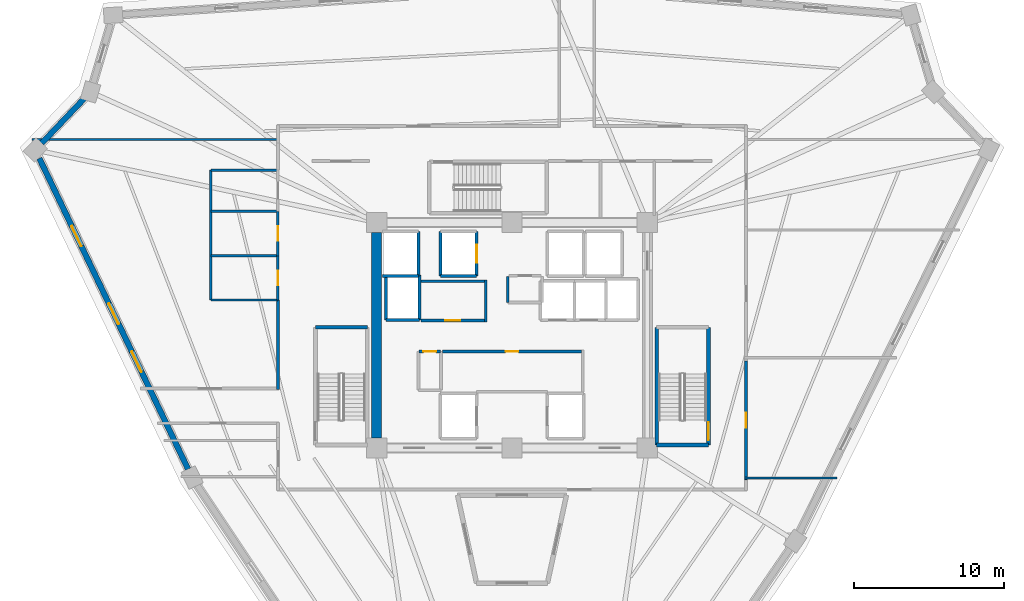
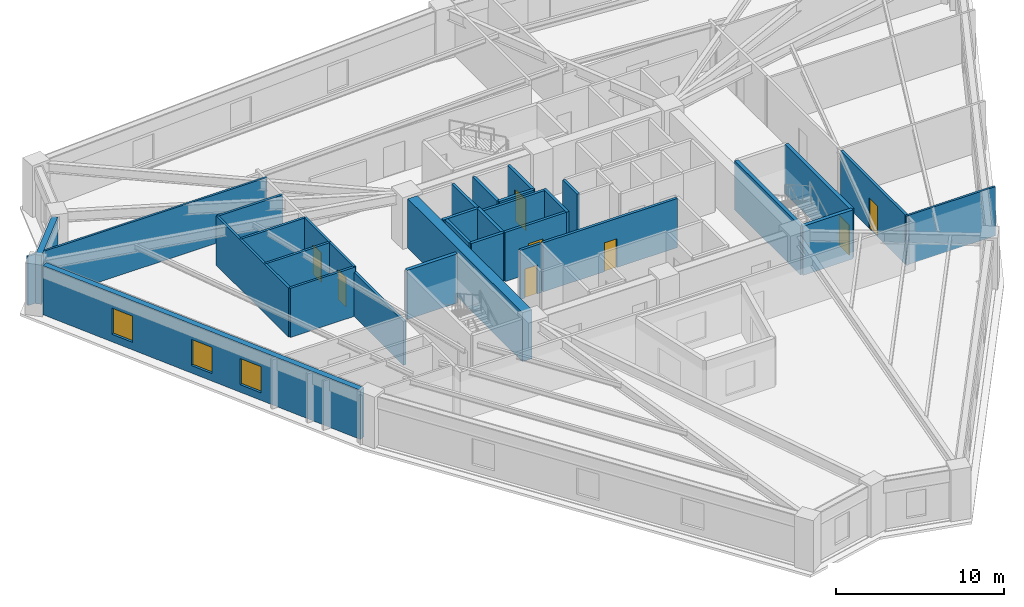
# One storey, part 4 of 9: 32 walls, 8 doors, 3 windows, 11 openings.
"""IFC4 building model written with IfcOpenShell, lengths in metres."""

from ifc_helpers import new_model, si_unit, direction, frame, frame_2d, origin, place, context, subcontext, project, spatial, rectangle, extrude, source, transform, mapped, material, layer, layer_set, type_object, element, fill, save


model = new_model("IFC4")

# Units and contexts
model_context = context("Model", 3, precision=1e-05, world=origin(), true_north=direction((0.0, 1.0)))
body_context = subcontext(model_context, "Body", "Model", "MODEL_VIEW")
ifc_project = project(units=[si_unit("LENGTHUNIT", "METRE"), si_unit("AREAUNIT", "SQUARE_METRE"), si_unit("VOLUMEUNIT", "CUBIC_METRE"), si_unit("PLANEANGLEUNIT", "RADIAN"), si_unit("MASSUNIT", "GRAM", prefix="KILO")], contexts=[model_context])

# Site, building, storey
site_placement = place(None, origin())
site = spatial("IfcSite", under=ifc_project, at=site_placement, CompositionType="ELEMENT")
building_placement = place(site_placement, origin())
building = spatial("IfcBuilding", under=site, at=building_placement, Name="Liaohun Quay Tower", CompositionType="ELEMENT")
storey_placement = place(building_placement, frame((0.0, 0.0, 258.75)))
storey = spatial("IfcBuildingStorey", under=building, at=storey_placement, Name="L67", CompositionType="ELEMENT", Elevation=258.75)

# Walls
ifc_material_1 = material(Name="Concrete C55", Category="concrete")
ifc_layer_1 = layer(ifc_material_1, 0.64990234375, Name="Concrete C55", Category="concrete")
ifc_layer_set_1 = layer_set([ifc_layer_1], Name="Concrete C55")
wall_type_1 = type_object("IfcWallType", Name="WAL-COR-Z3", PredefinedType="SHEAR", material=ifc_layer_set_1)
wall_1_placement = place(storey_placement, frame((51.0, 47.175048828125, 0.0), z_axis=(0.0, 0.0, 1.0), x_axis=(0.0, 1.0, 0.0)))
element("IfcWall", 1, at=wall_1_placement, inside=storey, type_object=wall_type_1, Name="L67 Central Core Shear Wall W", PredefinedType="SHEAR", context=body_context, shape_type="SweptSolid", body=[
    extrude(rectangle(XDim=13.64990234375, YDim=0.64990234375, at=frame_2d((6.824951171875, 0.0))), origin(), (0.0, 0.0, 1.0), 3.570068359375),
])
ifc_material_2 = material(Name="Precast concrete C50 insulated sandwich", Category="concrete")
ifc_layer_2 = layer(ifc_material_2, 0.3798828125, Name="Precast concrete C50 insulated sandwich", Category="concrete")
ifc_layer_set_2 = layer_set([ifc_layer_2], Name="Precast concrete C50 insulated sandwich")
wall_type_2 = type_object("IfcWallType", Name="WAL-EXT-Z34", PredefinedType="SOLIDWALL", material=ifc_layer_set_2)
wall_2_placement = place(storey_placement, frame((31.55908203125, 69.72998046875, 0.0), z_axis=(0.0, 0.0, 1.0), x_axis=(-0.689302304971, -0.724473831385, 0.0)))
element("IfcWall", 2, at=wall_2_placement, inside=storey, type_object=wall_type_2, Name="L67 Brutalist Precast Pier Wall 09", PredefinedType="SOLIDWALL", context=body_context, shape_type="SweptSolid", body=[
    extrude(rectangle(XDim=4.095458984375, YDim=0.3798828125, at=frame_2d((2.0478515625, 0.0))), origin(), (0.0, 0.0, 1.0), 3.570068359375),
])

# Wall, openings, windows
wall_3_placement = place(storey_placement, frame((28.576904296875, 65.761962890625, 0.0), z_axis=(0.0, 0.0, 1.0), x_axis=(0.431702044432, -0.902016266391, 0.0)))
wall_3 = element("IfcWall", 3, at=wall_3_placement, inside=storey, type_object=wall_type_2, Name="L67 Brutalist Precast Pier Wall 10", PredefinedType="SOLIDWALL", context=body_context, shape_type="SweptSolid", body=[
    extrude(rectangle(XDim=22.9140625, YDim=0.3798828125, at=frame_2d((11.45703125, 0.0))), origin(), (0.0, 0.0, 1.0), 3.570068359375),
])
shared_shape_1 = source(origin(), body_context, "Body", "SweptSolid", [
    extrude(rectangle(XDim=1.5, YDim=1.89990234375, at=frame_2d((0.75, 0.949951171875))), frame((0.0, 0.199951171875, 0.0), z_axis=(0.0, -1.0, 0.0), x_axis=(1.0, 0.0, 0.0)), (0.0, 0.0, 1.0), 0.39990234375),
])
opening_1_placement = place(wall_3_placement, frame((4.97900390625, 0.0, 0.550048828125)))
opening_1 = element("IfcOpeningElement", 4, at=opening_1_placement, cuts=wall_3, Name="Opening W03", PredefinedType="OPENING", context=body_context, shape_type="MappedRepresentation", body=[
    mapped(shared_shape_1, transform((0.0, 0.0, 0.0), x_axis=(1.0, 0.0, 0.0), y_axis=(0.0, 1.0, 0.0), z_axis=(0.0, 0.0, 1.0), scale=1.0)),
])
opening_2_placement = place(wall_3_placement, frame((10.70703125, 0.0, 0.550048828125)))
opening_2 = element("IfcOpeningElement", 5, at=opening_2_placement, cuts=wall_3, Name="Opening W03", PredefinedType="OPENING", context=body_context, shape_type="MappedRepresentation", body=[
    mapped(shared_shape_1, transform((0.0, 0.0, 0.0), x_axis=(1.0, 0.0, 0.0), y_axis=(0.0, 1.0, 0.0), z_axis=(0.0, 0.0, 1.0), scale=1.0)),
])
opening_3_placement = place(wall_3_placement, frame((14.236083984375, 0.0, 0.550048828125)))
opening_3 = element("IfcOpeningElement", 6, at=opening_3_placement, cuts=wall_3, Name="Opening W03", PredefinedType="OPENING", context=body_context, shape_type="MappedRepresentation", body=[
    mapped(shared_shape_1, transform((0.0, 0.0, 0.0), x_axis=(1.0, 0.0, 0.0), y_axis=(0.0, 1.0, 0.0), z_axis=(0.0, 0.0, 1.0), scale=1.0)),
])
ifc_material_3 = material(Name="Triple Low-E argon glazing in thermally broken aluminium", Category="aluminium")
window_type = type_object("IfcWindowType", Name="WIN-PUN-Z3", PartitioningType="DOUBLE_PANEL_VERTICAL", PredefinedType="WINDOW", material=ifc_material_3)
shared_shape_2 = source(origin(), body_context, "Body", "SweptSolid", [
    extrude(rectangle(XDim=1.5, YDim=1.89990234375, at=frame_2d((0.75, 0.949951171875))), frame((0.0, 0.030029296875, 0.0), z_axis=(0.0, -1.0, 0.0), x_axis=(1.0, 0.0, 0.0)), (0.0, 0.0, 1.0), 0.06005859375),
])
window_1_placement = place(opening_1_placement, origin())
window_1 = element("IfcWindow", 7, at=window_1_placement, inside=storey, type_object=window_type, Name="L67 Recessed Cold-Climate Punched Window 10-1", OverallHeight=1.89990234375, OverallWidth=1.5, PartitioningType="DOUBLE_PANEL_VERTICAL", PredefinedType="WINDOW", context=body_context, shape_type="MappedRepresentation", body=[
    mapped(shared_shape_2, transform((0.0, 0.0, 0.0), x_axis=(1.0, 0.0, 0.0), y_axis=(0.0, 1.0, 0.0), z_axis=(0.0, 0.0, 1.0), scale=1.0)),
])
fill(opening_1, window_1)
window_2_placement = place(opening_2_placement, origin())
window_2 = element("IfcWindow", 8, at=window_2_placement, inside=storey, type_object=window_type, Name="L67 Recessed Cold-Climate Punched Window 10-2", OverallHeight=1.89990234375, OverallWidth=1.5, PartitioningType="DOUBLE_PANEL_VERTICAL", PredefinedType="WINDOW", context=body_context, shape_type="MappedRepresentation", body=[
    mapped(shared_shape_2, transform((0.0, 0.0, 0.0), x_axis=(1.0, 0.0, 0.0), y_axis=(0.0, 1.0, 0.0), z_axis=(0.0, 0.0, 1.0), scale=1.0)),
])
fill(opening_2, window_2)
window_3_placement = place(opening_3_placement, origin())
window_3 = element("IfcWindow", 9, at=window_3_placement, inside=storey, type_object=window_type, Name="L67 Recessed Cold-Climate Punched Window 10-3", OverallHeight=1.89990234375, OverallWidth=1.5, PartitioningType="DOUBLE_PANEL_VERTICAL", PredefinedType="WINDOW", context=body_context, shape_type="MappedRepresentation", body=[
    mapped(shared_shape_2, transform((0.0, 0.0, 0.0), x_axis=(1.0, 0.0, 0.0), y_axis=(0.0, 1.0, 0.0), z_axis=(0.0, 0.0, 1.0), scale=1.0)),
])
fill(opening_3, window_3)

# Wall, opening, door
ifc_material_4 = material(Name="Autoclaved aerated concrete blockwork", Category="masonry")
ifc_layer_3 = layer(ifc_material_4, 0.179931640625, Name="Autoclaved aerated concrete blockwork", Category="masonry")
ifc_layer_set_3 = layer_set([ifc_layer_3], Name="Autoclaved aerated concrete blockwork")
wall_type_3 = type_object("IfcWallType", Name="WAL-PRT-COR", PredefinedType="PARTITIONING", material=ifc_layer_set_3)
wall_4_placement = place(storey_placement, frame((55.3701171875, 52.919921875, 0.0), z_axis=(0.0, 0.0, 1.0), x_axis=(1.0, 0.0, 0.0)))
wall_4 = element("IfcWall", 10, at=wall_4_placement, inside=storey, type_object=wall_type_3, Name="L67 Interior Partition Wall 001", PredefinedType="PARTITIONING", context=body_context, shape_type="SweptSolid", body=[
    extrude(rectangle(XDim=9.239990234375, YDim=0.179931640625, at=frame_2d((4.6201171875, 0.0))), origin(), (0.0, 0.0, 1.0), 3.570068359375),
])
shared_shape_3 = source(origin(), body_context, "Body", "SweptSolid", [
    extrude(rectangle(XDim=0.85009765625, YDim=2.10009765625, at=frame_2d((0.425048828125, 1.050048828125))), frame((0.0, 0.099853515625, 0.0), z_axis=(0.0, -1.0, 0.0), x_axis=(1.0, 0.0, 0.0)), (0.0, 0.0, 1.0), 0.199951171875),
])
opening_4_placement = place(wall_4_placement, frame((4.205078125, 0.0, 0.0)))
opening_4 = element("IfcOpeningElement", 11, at=opening_4_placement, cuts=wall_4, Name="Opening AD1", PredefinedType="OPENING", context=body_context, shape_type="MappedRepresentation", body=[
    mapped(shared_shape_3, transform((0.0, 0.0, 0.0), x_axis=(1.0, 0.0, 0.0), y_axis=(0.0, 1.0, 0.0), z_axis=(0.0, 0.0, 1.0), scale=1.0)),
])
ifc_material_5 = material(Name="Steel riser inspection fire door", Category="steel")
door_type_1 = type_object("IfcDoorType", Name="DOR-SHF-850", OperationType="NOTDEFINED", PredefinedType="DOOR", material=ifc_material_5)
shared_shape_4 = source(origin(), body_context, "Body", "SweptSolid", [
    extrude(rectangle(XDim=0.85009765625, YDim=2.10009765625, at=frame_2d((0.425048828125, 1.050048828125))), frame((0.0, 0.02490234375, 0.0), z_axis=(0.0, -1.0, 0.0), x_axis=(1.0, 0.0, 0.0)), (0.0, 0.0, 1.0), 0.050048828125),
])
door_1_placement = place(opening_4_placement, origin())
door_1 = element("IfcDoor", 12, at=door_1_placement, inside=storey, type_object=door_type_1, Name="L67 Core Tenant Storage and Archive Room Door", OperationType="SINGLE_SWING_LEFT", OverallHeight=2.10009765625, OverallWidth=0.85009765625, PredefinedType="DOOR", context=body_context, shape_type="MappedRepresentation", body=[
    mapped(shared_shape_4, transform((0.0, 0.0, 0.0), x_axis=(1.0, 0.0, 0.0), y_axis=(0.0, 1.0, 0.0), z_axis=(0.0, 0.0, 1.0), scale=1.0)),
])
fill(opening_4, door_1)

wall_5_placement = place(storey_placement, frame((53.949951171875, 54.97998046875, 0.0), z_axis=(0.0, 0.0, 1.0), x_axis=(1.0, 0.0, 0.0)))
wall_5 = element("IfcWall", 13, at=wall_5_placement, inside=storey, type_object=wall_type_3, Name="L67 Interior Partition Wall 002", PredefinedType="PARTITIONING", context=body_context, shape_type="SweptSolid", body=[
    extrude(rectangle(XDim=4.2099609375, YDim=0.179931640625, at=frame_2d((2.10498046875, 0.0))), origin(), (0.0, 0.0, 1.0), 3.570068359375),
])
shared_shape_5 = source(origin(), body_context, "Body", "SweptSolid", [
    extrude(rectangle(XDim=1.0, YDim=2.199951171875, at=frame_2d((0.5, 1.10009765625))), frame((0.0, 0.099853515625, 0.0), z_axis=(0.0, -1.0, 0.0), x_axis=(1.0, 0.0, 0.0)), (0.0, 0.0, 1.0), 0.199951171875),
])
opening_5_placement = place(wall_5_placement, frame((1.60009765625, 0.0, 0.0)))
opening_5 = element("IfcOpeningElement", 14, at=opening_5_placement, cuts=wall_5, Name="Opening OD1", PredefinedType="OPENING", context=body_context, shape_type="MappedRepresentation", body=[
    mapped(shared_shape_5, transform((0.0, 0.0, 0.0), x_axis=(1.0, 0.0, 0.0), y_axis=(0.0, 1.0, 0.0), z_axis=(0.0, 0.0, 1.0), scale=1.0)),
])
ifc_material_6 = material(Name="Solid-core oak veneer timber leaf in steel frame", Category="steel")
door_type_2 = type_object("IfcDoorType", Name="DOR-OFF-1000", OperationType="NOTDEFINED", PredefinedType="DOOR", material=ifc_material_6)
shared_shape_6 = source(origin(), body_context, "Body", "SweptSolid", [
    extrude(rectangle(XDim=1.0, YDim=2.199951171875, at=frame_2d((0.5, 1.10009765625))), frame((0.0, 0.02490234375, 0.0), z_axis=(0.0, -1.0, 0.0), x_axis=(1.0, 0.0, 0.0)), (0.0, 0.0, 1.0), 0.050048828125),
])
door_2_placement = place(opening_5_placement, origin())
door_2 = element("IfcDoor", 15, at=door_2_placement, inside=storey, type_object=door_type_2, Name="L67 Core Staff Pantry and Tea Room Door", OperationType="SINGLE_SWING_RIGHT", OverallHeight=2.199951171875, OverallWidth=1.0, PredefinedType="DOOR", context=body_context, shape_type="MappedRepresentation", body=[
    mapped(shared_shape_6, transform((0.0, 0.0, 0.0), x_axis=(1.0, 0.0, 0.0), y_axis=(0.0, 1.0, 0.0), z_axis=(0.0, 0.0, 1.0), scale=1.0)),
])
fill(opening_5, door_2)

wall_6_placement = place(storey_placement, frame((53.820068359375, 52.919921875, 0.0), z_axis=(0.0, 0.0, 1.0), x_axis=(1.0, 0.0, 0.0)))
wall_6 = element("IfcWall", 16, at=wall_6_placement, inside=storey, type_object=wall_type_3, Name="L67 Interior Partition Wall 004", PredefinedType="PARTITIONING", context=body_context, shape_type="SweptSolid", body=[
    extrude(rectangle(XDim=1.429931640625, YDim=0.179931640625, at=frame_2d((0.71484375, 0.0))), origin(), (0.0, 0.0, 1.0), 3.570068359375),
])
opening_6_placement = place(wall_6_placement, frame((0.2900390625, 0.0, 0.0)))
opening_6 = element("IfcOpeningElement", 17, at=opening_6_placement, cuts=wall_6, Name="Opening AD1", PredefinedType="OPENING", context=body_context, shape_type="MappedRepresentation", body=[
    mapped(shared_shape_3, transform((0.0, 0.0, 0.0), x_axis=(1.0, 0.0, 0.0), y_axis=(0.0, 1.0, 0.0), z_axis=(0.0, 0.0, 1.0), scale=1.0)),
])
door_3_placement = place(opening_6_placement, origin())
door_3 = element("IfcDoor", 18, at=door_3_placement, inside=storey, type_object=door_type_1, Name="L67 Mechanical Smoke Duct Room Door", OperationType="SINGLE_SWING_RIGHT", OverallHeight=2.10009765625, OverallWidth=0.85009765625, PredefinedType="DOOR", context=body_context, shape_type="MappedRepresentation", body=[
    mapped(shared_shape_4, transform((0.0, 0.0, 0.0), x_axis=(1.0, 0.0, 0.0), y_axis=(0.0, 1.0, 0.0), z_axis=(0.0, 0.0, 1.0), scale=1.0)),
])
fill(opening_6, door_3)

wall_7_placement = place(storey_placement, frame((75.56005859375, 52.284912109375, 0.0), z_axis=(0.0, 0.0, 1.0), x_axis=(0.0, -1.0, 0.0)))
wall_7 = element("IfcWall", 19, at=wall_7_placement, inside=storey, type_object=wall_type_3, Name="L67 Interior Partition Wall 020", PredefinedType="PARTITIONING", context=body_context, shape_type="SweptSolid", body=[
    extrude(rectangle(XDim=7.89990234375, YDim=0.179931640625, at=frame_2d((3.949951171875, 0.0))), origin(), (0.0, 0.0, 1.0), 3.570068359375),
])
opening_7_placement = place(wall_7_placement, frame((3.449951171875, 0.0, 0.0)))
opening_7 = element("IfcOpeningElement", 20, at=opening_7_placement, cuts=wall_7, Name="Opening OD1", PredefinedType="OPENING", context=body_context, shape_type="MappedRepresentation", body=[
    mapped(shared_shape_5, transform((0.0, 0.0, 0.0), x_axis=(1.0, 0.0, 0.0), y_axis=(0.0, 1.0, 0.0), z_axis=(0.0, 0.0, 1.0), scale=1.0)),
])
door_4_placement = place(opening_7_placement, origin())
door_4 = element("IfcDoor", 21, at=door_4_placement, inside=storey, type_object=door_type_2, Name="L67 Records Archive Store 09 Door", OperationType="SINGLE_SWING_RIGHT", OverallHeight=2.199951171875, OverallWidth=1.0, PredefinedType="DOOR", context=body_context, shape_type="MappedRepresentation", body=[
    mapped(shared_shape_6, transform((0.0, 0.0, 0.0), x_axis=(1.0, 0.0, 0.0), y_axis=(0.0, 1.0, 0.0), z_axis=(0.0, 0.0, 1.0), scale=1.0)),
])
fill(opening_7, door_4)

# Walls
wall_8_placement = place(storey_placement, frame((59.719970703125, 56.179931640625, 0.0), z_axis=(0.0, 0.0, 1.0), x_axis=(0.0, 1.0, 0.0)))
element("IfcWall", 22, at=wall_8_placement, inside=storey, type_object=wall_type_3, Name="L67 Interior Partition Wall 021", PredefinedType="PARTITIONING", context=body_context, shape_type="SweptSolid", body=[
    extrude(rectangle(XDim=1.739990234375, YDim=0.179931640625, at=frame_2d((0.8701171875, 0.0))), origin(), (0.0, 0.0, 1.0), 3.570068359375),
])
wall_9_placement = place(storey_placement, frame((44.43994140625, 50.389892578125, 0.0), z_axis=(0.0, 0.0, 1.0), x_axis=(0.0, 1.0, 0.0)))
element("IfcWall", 23, at=wall_9_placement, inside=storey, type_object=wall_type_3, Name="L67 Interior Partition Wall 038", PredefinedType="PARTITIONING", context=body_context, shape_type="SweptSolid", body=[
    extrude(rectangle(XDim=5.9501953125, YDim=0.179931640625, at=frame_2d((2.97509765625, 0.0))), origin(), (0.0, 0.0, 1.0), 3.205078125),
])
wall_10_placement = place(storey_placement, frame((58.25, 54.889892578125, 0.0), z_axis=(0.0, 0.0, 1.0), x_axis=(0.0, 1.0, 0.0)))
element("IfcWall", 24, at=wall_10_placement, inside=storey, type_object=wall_type_3, Name="L67 Interior Partition Wall 052", PredefinedType="PARTITIONING", context=body_context, shape_type="SweptSolid", body=[
    extrude(rectangle(XDim=2.780029296875, YDim=0.179931640625, at=frame_2d((1.39013671875, 0.0))), origin(), (0.0, 0.0, 1.0), 3.570068359375),
])
wall_11_placement = place(storey_placement, frame((53.949951171875, 57.580078125, 0.0), z_axis=(0.0, 0.0, 1.0), x_axis=(1.0, 0.0, 0.0)))
element("IfcWall", 25, at=wall_11_placement, inside=storey, type_object=wall_type_3, Name="L67 Interior Partition Wall 053", PredefinedType="PARTITIONING", context=body_context, shape_type="SweptSolid", body=[
    extrude(rectangle(XDim=4.2099609375, YDim=0.179931640625, at=frame_2d((2.10498046875, 0.0))), origin(), (0.0, 0.0, 1.0), 3.570068359375),
])
ifc_material_7 = material(Name="Gypsum board on twin steel studs", Category="steel")
ifc_layer_4 = layer(ifc_material_7, 0.139892578125, Name="Gypsum board on twin steel studs", Category="steel")
ifc_layer_set_4 = layer_set([ifc_layer_4], Name="Gypsum board on twin steel studs")
wall_type_4 = type_object("IfcWallType", Name="WAL-PRT-OFF", PredefinedType="PARTITIONING", material=ifc_layer_set_4)
wall_12_placement = place(storey_placement, frame((44.5400390625, 67.0, 0.0), z_axis=(0.0, 0.0, 1.0), x_axis=(-1.0, 0.0, 0.0)))
element("IfcWall", 26, at=wall_12_placement, inside=storey, type_object=wall_type_4, Name="L67 Interior Partition Wall 045", PredefinedType="PARTITIONING", context=body_context, shape_type="SweptSolid", body=[
    extrude(rectangle(XDim=16.448974609375, YDim=0.139892578125, at=frame_2d((8.224609375, 0.0))), origin(), (0.0, 0.0, 1.0), 3.570068359375),
])
wall_13_placement = place(storey_placement, frame((75.4599609375, 44.5, 0.0), z_axis=(0.0, 0.0, 1.0), x_axis=(1.0, 0.0, 0.0)))
element("IfcWall", 27, at=wall_13_placement, inside=storey, type_object=wall_type_4, Name="L67 Interior Partition Wall 046", PredefinedType="PARTITIONING", context=body_context, shape_type="SweptSolid", body=[
    extrude(rectangle(XDim=6.14013671875, YDim=0.139892578125, at=frame_2d((3.070068359375, 0.0))), origin(), (0.0, 0.0, 1.0), 3.570068359375),
])

# Wall, opening, door
ifc_material_8 = material(Name="Moisture-resistant masonry blockwork", Category="masonry")
ifc_layer_5 = layer(ifc_material_8, 0.159912109375, Name="Moisture-resistant masonry blockwork", Category="masonry")
ifc_layer_set_5 = layer_set([ifc_layer_5], Name="Moisture-resistant masonry blockwork")
wall_type_5 = type_object("IfcWallType", Name="WAL-PRT-WET", PredefinedType="PARTITIONING", material=ifc_layer_set_5)
wall_14_placement = place(storey_placement, frame((44.43994140625, 56.340087890625, 0.0), z_axis=(0.0, 0.0, 1.0), x_axis=(0.0, 1.0, 0.0)))
wall_14 = element("IfcWall", 28, at=wall_14_placement, inside=storey, type_object=wall_type_5, Name="L67 Interior Partition Wall 005", PredefinedType="PARTITIONING", context=body_context, shape_type="SweptSolid", body=[
    extrude(rectangle(XDim=2.93994140625, YDim=0.159912109375, at=frame_2d((1.469970703125, 0.0))), origin(), (0.0, 0.0, 1.0), 3.570068359375),
])
shared_shape_7 = source(origin(), body_context, "Body", "SweptSolid", [
    extrude(rectangle(XDim=0.949951171875, YDim=2.14990234375, at=frame_2d((0.47509765625, 1.074951171875))), frame((0.0, 0.08984375, 0.0), z_axis=(0.0, -1.0, 0.0), x_axis=(1.0, 0.0, 0.0)), (0.0, 0.0, 1.0), 0.179931640625),
])
opening_8_placement = place(wall_14_placement, frame((0.9951171875, 0.0, 0.0)))
opening_8 = element("IfcOpeningElement", 29, at=opening_8_placement, cuts=wall_14, Name="Opening WD1", PredefinedType="OPENING", context=body_context, shape_type="MappedRepresentation", body=[
    mapped(shared_shape_7, transform((0.0, 0.0, 0.0), x_axis=(1.0, 0.0, 0.0), y_axis=(0.0, 1.0, 0.0), z_axis=(0.0, 0.0, 1.0), scale=1.0)),
])
ifc_material_9 = material(Name="Moisture-resistant laminate timber leaf", Category="wood")
door_type_3 = type_object("IfcDoorType", Name="DOR-WC-950", OperationType="NOTDEFINED", PredefinedType="DOOR", material=ifc_material_9)
shared_shape_8 = source(origin(), body_context, "Body", "SweptSolid", [
    extrude(rectangle(XDim=0.949951171875, YDim=2.14990234375, at=frame_2d((0.47509765625, 1.074951171875))), frame((0.0, 0.02490234375, 0.0), z_axis=(0.0, -1.0, 0.0), x_axis=(1.0, 0.0, 0.0)), (0.0, 0.0, 1.0), 0.050048828125),
])
door_5_placement = place(opening_8_placement, origin())
door_5 = element("IfcDoor", 30, at=door_5_placement, inside=storey, type_object=door_type_3, Name="L67 Male Restroom WC Door", OperationType="SINGLE_SWING_LEFT", OverallHeight=2.14990234375, OverallWidth=0.949951171875, PredefinedType="DOOR", context=body_context, shape_type="MappedRepresentation", body=[
    mapped(shared_shape_8, transform((0.0, 0.0, 0.0), x_axis=(1.0, 0.0, 0.0), y_axis=(0.0, 1.0, 0.0), z_axis=(0.0, 0.0, 1.0), scale=1.0)),
])
fill(opening_8, door_5)

wall_15_placement = place(storey_placement, frame((44.43994140625, 59.280029296875, 0.0), z_axis=(0.0, 0.0, 1.0), x_axis=(0.0, 1.0, 0.0)))
wall_15 = element("IfcWall", 31, at=wall_15_placement, inside=storey, type_object=wall_type_5, Name="L67 Interior Partition Wall 006", PredefinedType="PARTITIONING", context=body_context, shape_type="SweptSolid", body=[
    extrude(rectangle(XDim=2.9599609375, YDim=0.159912109375, at=frame_2d((1.47998046875, 0.0))), origin(), (0.0, 0.0, 1.0), 3.570068359375),
])
opening_9_placement = place(wall_15_placement, frame((1.0048828125, 0.0, 0.0)))
opening_9 = element("IfcOpeningElement", 32, at=opening_9_placement, cuts=wall_15, Name="Opening WD1", PredefinedType="OPENING", context=body_context, shape_type="MappedRepresentation", body=[
    mapped(shared_shape_7, transform((0.0, 0.0, 0.0), x_axis=(1.0, 0.0, 0.0), y_axis=(0.0, 1.0, 0.0), z_axis=(0.0, 0.0, 1.0), scale=1.0)),
])
door_6_placement = place(opening_9_placement, origin())
door_6 = element("IfcDoor", 33, at=door_6_placement, inside=storey, type_object=door_type_3, Name="L67 Female Restroom WC Door", OperationType="SINGLE_SWING_RIGHT", OverallHeight=2.14990234375, OverallWidth=0.949951171875, PredefinedType="DOOR", context=body_context, shape_type="MappedRepresentation", body=[
    mapped(shared_shape_8, transform((0.0, 0.0, 0.0), x_axis=(1.0, 0.0, 0.0), y_axis=(0.0, 1.0, 0.0), z_axis=(0.0, 0.0, 1.0), scale=1.0)),
])
fill(opening_9, door_6)

# Walls
wall_16_placement = place(storey_placement, frame((39.97998046875, 56.340087890625, 0.0), z_axis=(0.0, 0.0, 1.0), x_axis=(0.0, 1.0, 0.0)))
element("IfcWall", 34, at=wall_16_placement, inside=storey, type_object=wall_type_5, Name="L67 Interior Partition Wall 027", PredefinedType="PARTITIONING", context=body_context, shape_type="SweptSolid", body=[
    extrude(rectangle(XDim=8.639892578125, YDim=0.159912109375, at=frame_2d((4.31982421875, 0.0))), origin(), (0.0, 0.0, 1.0), 3.570068359375),
])
for number, where, z_axis, x_axis, name in (
    (35, (39.97998046875, 56.340087890625, 0.0), (0.0, 0.0, 1.0), (1.0, 0.0, 0.0), "L67 Interior Partition Wall 028"),
    (36, (39.97998046875, 59.280029296875, 0.0), (0.0, 0.0, 1.0), (1.0, 0.0, 0.0), "L67 Interior Partition Wall 029"),
    (37, (39.97998046875, 62.239990234375, 0.0), (0.0, 0.0, 1.0), (1.0, 0.0, 0.0), "L67 Interior Partition Wall 030"),
    (38, (39.97998046875, 64.97998046875, 0.0), (0.0, 0.0, 1.0), (1.0, 0.0, 0.0), "L67 Interior Partition Wall 031"),
):
    element("IfcWall", number, at=place(storey_placement, frame(where, z_axis=z_axis, x_axis=x_axis)), inside=storey, type_object=wall_type_5, Name=name, PredefinedType="PARTITIONING", context=body_context, shape_type="SweptSolid", body=[
        extrude(rectangle(XDim=4.4599609375, YDim=0.159912109375, at=frame_2d((2.22998046875, 0.0))), origin(), (0.0, 0.0, 1.0), 3.570068359375),
    ])
ifc_material_10 = material(Name="Concrete C50", Category="concrete")
ifc_layer_6 = layer(ifc_material_10, 0.239990234375, Name="Concrete C50", Category="concrete")
ifc_layer_set_6 = layer_set([ifc_layer_6], Name="Concrete C50")
wall_type_6 = type_object("IfcWallType", Name="WAL-SHF-200", PredefinedType="SOLIDWALL", material=ifc_layer_set_6)
for number, where, z_axis, x_axis, name in (
    (39, (50.3798828125, 54.52001953125, 0.0), (0.0, 0.0, 1.0), (-1.0, 0.0, 0.0), "L67 Stairwell ST-1 Structural Core Wall N"),
    (40, (69.6201171875, 46.699951171875, 0.0), (0.0, 0.0, 1.0), (1.0, 0.0, 0.0), "L67 Stairwell ST-2 Structural Core Wall S"),
):
    element("IfcWall", number, at=place(storey_placement, frame(where, z_axis=z_axis, x_axis=x_axis)), inside=storey, type_object=wall_type_6, Name=name, PredefinedType="SOLIDWALL", context=body_context, shape_type="SweptSolid", body=[
        extrude(rectangle(XDim=3.43994140625, YDim=0.239990234375, at=frame_2d((1.719970703125, 0.0))), origin(), (0.0, 0.0, 1.0), 3.570068359375),
    ])

# Wall, opening, door
wall_17_placement = place(storey_placement, frame((73.06005859375, 46.699951171875, 0.0), z_axis=(0.0, 0.0, 1.0), x_axis=(0.0, 1.0, 0.0)))
wall_17 = element("IfcWall", 41, at=wall_17_placement, inside=storey, type_object=wall_type_6, Name="L67 Stairwell ST-2 Structural Core Wall E", PredefinedType="SOLIDWALL", context=body_context, shape_type="SweptSolid", body=[
    extrude(rectangle(XDim=7.820068359375, YDim=0.239990234375, at=frame_2d((3.91015625, 0.0))), origin(), (0.0, 0.0, 1.0), 3.570068359375),
])
shared_shape_9 = source(origin(), body_context, "Body", "SweptSolid", [
    extrude(rectangle(XDim=1.199951171875, YDim=2.199951171875, at=frame_2d((0.60009765625, 1.10009765625))), frame((0.0, 0.1298828125, 0.0), z_axis=(0.0, -1.0, 0.0), x_axis=(1.0, 0.0, 0.0)), (0.0, 0.0, 1.0), 0.260009765625),
])
opening_10_placement = place(wall_17_placement, frame((0.320068359375, 0.0, 0.0)))
opening_10 = element("IfcOpeningElement", 42, at=opening_10_placement, cuts=wall_17, Name="Opening SD1", PredefinedType="OPENING", context=body_context, shape_type="MappedRepresentation", body=[
    mapped(shared_shape_9, transform((0.0, 0.0, 0.0), x_axis=(1.0, 0.0, 0.0), y_axis=(0.0, 1.0, 0.0), z_axis=(0.0, 0.0, 1.0), scale=1.0)),
])
ifc_material_11 = material(Name="Galvanised steel fire door", Category="steel")
door_type_4 = type_object("IfcDoorType", Name="DOR-STR-1200", OperationType="NOTDEFINED", PredefinedType="DOOR", material=ifc_material_11)
shared_shape_10 = source(origin(), body_context, "Body", "SweptSolid", [
    extrude(rectangle(XDim=1.199951171875, YDim=2.199951171875, at=frame_2d((0.60009765625, 1.10009765625))), frame((0.0, 0.02490234375, 0.0), z_axis=(0.0, -1.0, 0.0), x_axis=(1.0, 0.0, 0.0)), (0.0, 0.0, 1.0), 0.050048828125),
])
door_7_placement = place(opening_10_placement, origin())
door_7 = element("IfcDoor", 43, at=door_7_placement, inside=storey, type_object=door_type_4, Name="L67 Protected Stair ST-2 Fire Door", OperationType="SINGLE_SWING_RIGHT", OverallHeight=2.199951171875, OverallWidth=1.199951171875, PredefinedType="DOOR", context=body_context, shape_type="MappedRepresentation", body=[
    mapped(shared_shape_10, transform((0.0, 0.0, 0.0), x_axis=(1.0, 0.0, 0.0), y_axis=(0.0, 1.0, 0.0), z_axis=(0.0, 0.0, 1.0), scale=1.0)),
])
fill(opening_10, door_7)

# Walls
wall_18_placement = place(storey_placement, frame((69.6201171875, 54.52001953125, 0.0), z_axis=(0.0, 0.0, 1.0), x_axis=(0.0, -1.0, 0.0)))
element("IfcWall", 44, at=wall_18_placement, inside=storey, type_object=wall_type_6, Name="L67 Stairwell ST-2 Structural Core Wall W", PredefinedType="SOLIDWALL", context=body_context, shape_type="SweptSolid", body=[
    extrude(rectangle(XDim=7.820068359375, YDim=0.239990234375, at=frame_2d((3.91015625, 0.0))), origin(), (0.0, 0.0, 1.0), 3.570068359375),
])
wall_19_placement = place(storey_placement, frame((55.25, 57.949951171875, 0.0), z_axis=(0.0, 0.0, 1.0), x_axis=(1.0, 0.0, 0.0)))
element("IfcWall", 45, at=wall_19_placement, inside=storey, type_object=wall_type_6, Name="L67 Lift FF-03 Hoistway Wall S", PredefinedType="SOLIDWALL", context=body_context, shape_type="SweptSolid", body=[
    extrude(rectangle(XDim=2.39990234375, YDim=0.199951171875, at=frame_2d((1.199951171875, 0.0))), origin(), (0.0, 0.0, 1.0), 3.570068359375),
])

# Wall, opening, door
wall_20_placement = place(storey_placement, frame((57.64990234375, 57.949951171875, 0.0), z_axis=(0.0, 0.0, 1.0), x_axis=(0.0, 1.0, 0.0)))
wall_20 = element("IfcWall", 46, at=wall_20_placement, inside=storey, type_object=wall_type_6, Name="L67 Lift FF-03 Hoistway Wall E", PredefinedType="SOLIDWALL", context=body_context, shape_type="SweptSolid", body=[
    extrude(rectangle(XDim=2.929931640625, YDim=0.199951171875, at=frame_2d((1.46484375, 0.0))), origin(), (0.0, 0.0, 1.0), 3.570068359375),
])
shared_shape_11 = source(origin(), body_context, "Body", "SweptSolid", [
    extrude(rectangle(XDim=1.199951171875, YDim=2.300048828125, at=frame_2d((0.60009765625, 1.14990234375))), frame((0.0, 0.10986328125, 0.0), z_axis=(0.0, -1.0, 0.0), x_axis=(1.0, 0.0, 0.0)), (0.0, 0.0, 1.0), 0.219970703125),
])
opening_11_placement = place(wall_20_placement, frame((0.864990234375, 0.0, 0.0)))
opening_11 = element("IfcOpeningElement", 47, at=opening_11_placement, cuts=wall_20, Name="Opening LD2", PredefinedType="OPENING", context=body_context, shape_type="MappedRepresentation", body=[
    mapped(shared_shape_11, transform((0.0, 0.0, 0.0), x_axis=(1.0, 0.0, 0.0), y_axis=(0.0, 1.0, 0.0), z_axis=(0.0, 0.0, 1.0), scale=1.0)),
])
ifc_material_12 = material(Name="Brushed stainless steel stretcher landing door", Category="steel")
door_type_5 = type_object("IfcDoorType", Name="DOR-LFT-1200", OperationType="SLIDING_TO_LEFT", PredefinedType="DOOR", material=ifc_material_12)
shared_shape_12 = source(origin(), body_context, "Body", "SweptSolid", [
    extrude(rectangle(XDim=1.199951171875, YDim=2.300048828125, at=frame_2d((0.60009765625, 1.14990234375))), frame((0.0, 0.02490234375, 0.0), z_axis=(0.0, -1.0, 0.0), x_axis=(1.0, 0.0, 0.0)), (0.0, 0.0, 1.0), 0.050048828125),
])
door_8_placement = place(opening_11_placement, origin())
door_8 = element("IfcDoor", 48, at=door_8_placement, inside=storey, type_object=door_type_5, Name="L67 Lift FF-03 Sliding Landing Door", OperationType="SLIDING_TO_LEFT", OverallHeight=2.300048828125, OverallWidth=1.199951171875, PredefinedType="DOOR", context=body_context, shape_type="MappedRepresentation", body=[
    mapped(shared_shape_12, transform((0.0, 0.0, 0.0), x_axis=(1.0, 0.0, 0.0), y_axis=(0.0, 1.0, 0.0), z_axis=(0.0, 0.0, 1.0), scale=1.0)),
])
fill(opening_11, door_8)

# Walls
wall_21_placement = place(storey_placement, frame((55.25, 60.8798828125, 0.0), z_axis=(0.0, 0.0, 1.0), x_axis=(0.0, -1.0, 0.0)))
element("IfcWall", 49, at=wall_21_placement, inside=storey, type_object=wall_type_6, Name="L67 Lift FF-03 Hoistway Wall W", PredefinedType="SOLIDWALL", context=body_context, shape_type="SweptSolid", body=[
    extrude(rectangle(XDim=2.929931640625, YDim=0.199951171875, at=frame_2d((1.46484375, 0.0))), origin(), (0.0, 0.0, 1.0), 3.570068359375),
])
wall_22_placement = place(storey_placement, frame((51.39990234375, 57.949951171875, 0.0), z_axis=(0.0, 0.0, 1.0), x_axis=(1.0, 0.0, 0.0)))
element("IfcWall", 50, at=wall_22_placement, inside=storey, type_object=wall_type_6, Name="L67 Lift SH-01 Hoistway Wall S", PredefinedType="SOLIDWALL", context=body_context, shape_type="SweptSolid", body=[
    extrude(rectangle(XDim=2.400146484375, YDim=0.199951171875, at=frame_2d((1.2001953125, 0.0))), origin(), (0.0, 0.0, 1.0), 3.570068359375),
])
wall_23_placement = place(storey_placement, frame((53.800048828125, 57.949951171875, 0.0), z_axis=(0.0, 0.0, 1.0), x_axis=(0.0, 1.0, 0.0)))
element("IfcWall", 51, at=wall_23_placement, inside=storey, type_object=wall_type_6, Name="L67 Lift SH-01 Hoistway Wall E", PredefinedType="SOLIDWALL", context=body_context, shape_type="SweptSolid", body=[
    extrude(rectangle(XDim=2.929931640625, YDim=0.199951171875, at=frame_2d((1.46484375, 0.0))), origin(), (0.0, 0.0, 1.0), 3.570068359375),
])
wall_24_placement = place(storey_placement, frame((51.6201171875, 55.0, 0.0), z_axis=(0.0, 0.0, 1.0), x_axis=(1.0, 0.0, 0.0)))
element("IfcWall", 52, at=wall_24_placement, inside=storey, type_object=wall_type_6, Name="L67 Lift SH-02 Hoistway Wall S", PredefinedType="SOLIDWALL", context=body_context, shape_type="SweptSolid", body=[
    extrude(rectangle(XDim=2.22998046875, YDim=0.199951171875, at=frame_2d((1.114990234375, 0.0))), origin(), (0.0, 0.0, 1.0), 3.570068359375),
])
for number, where, z_axis, x_axis, name in (
    (53, (53.85009765625, 55.0, 0.0), (0.0, 0.0, 1.0), (0.0, 1.0, 0.0), "L67 Lift SH-02 Hoistway Wall E"),
    (54, (51.6201171875, 58.0, 0.0), (0.0, 0.0, 1.0), (0.0, -1.0, 0.0), "L67 Lift SH-02 Hoistway Wall W"),
):
    element("IfcWall", number, at=place(storey_placement, frame(where, z_axis=z_axis, x_axis=x_axis)), inside=storey, type_object=wall_type_6, Name=name, PredefinedType="SOLIDWALL", context=body_context, shape_type="SweptSolid", body=[
        extrude(rectangle(XDim=3.0, YDim=0.199951171875, at=frame_2d((1.5, 0.0))), origin(), (0.0, 0.0, 1.0), 3.570068359375),
    ])

save(model, "model.ifc")
